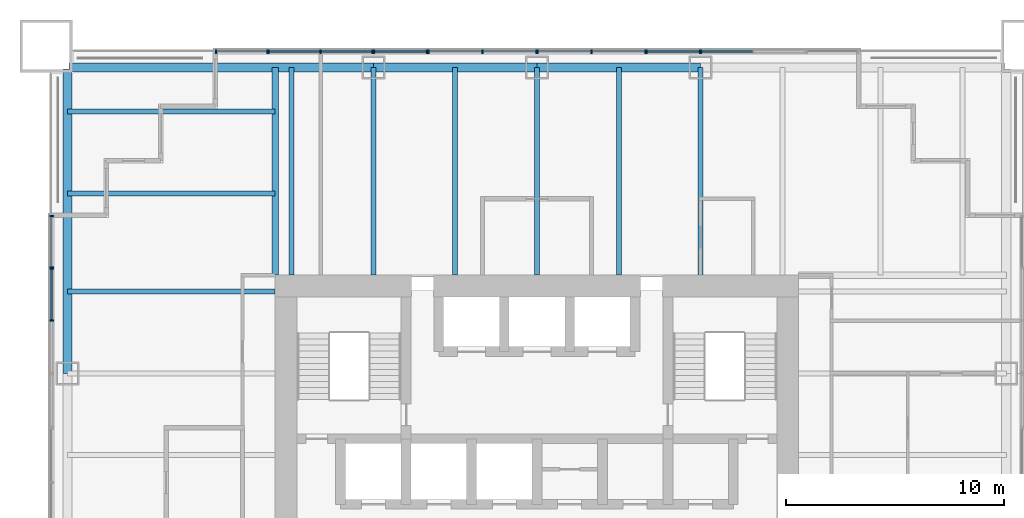
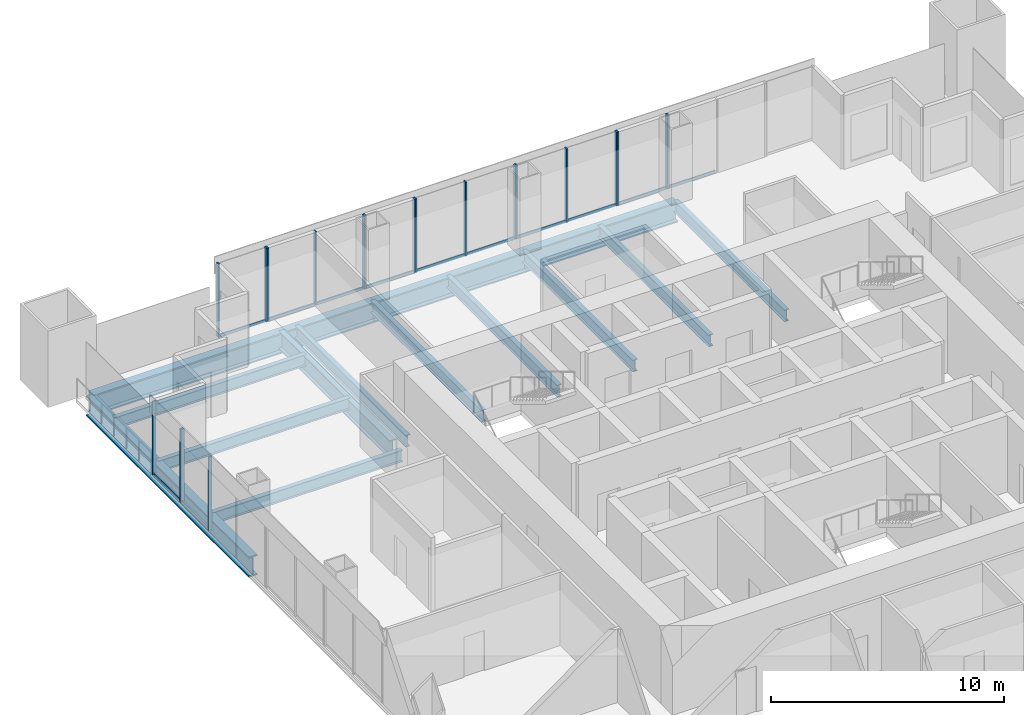
# One storey, part 5 of 13: 32 members, 14 beams, 9 elements without a shape of their own.
"""IFC4 building model written with IfcOpenShell, lengths in metres."""

from ifc_helpers import new_model, si_unit, direction, frame, origin, origin_2d, place, context, subcontext, project, spatial, rectangle, i_section, extrude, material, material_profile, profile_set, type_object, element, aggregate, save


model = new_model("IFC4")

# Units and contexts
model_context = context("Model", 3, precision=1e-05, world=origin(), true_north=direction((0.0, 1.0)))
body_context = subcontext(model_context, "Body", "Model", "MODEL_VIEW")
ifc_project = project(units=[si_unit("LENGTHUNIT", "METRE"), si_unit("AREAUNIT", "SQUARE_METRE"), si_unit("VOLUMEUNIT", "CUBIC_METRE"), si_unit("PLANEANGLEUNIT", "RADIAN"), si_unit("MASSUNIT", "GRAM", prefix="KILO")], contexts=[model_context])

# Site, building, storey
site_placement = place(None, origin())
site = spatial("IfcSite", under=ifc_project, at=site_placement, CompositionType="ELEMENT")
building_placement = place(site_placement, origin())
building = spatial("IfcBuilding", under=site, at=building_placement, Name="Tarangal Relay Tower", CompositionType="ELEMENT")
storey_placement = place(building_placement, frame((0.0, 0.0, 201.89990234375)))
storey = spatial("IfcBuildingStorey", under=building, at=storey_placement, Name="L42", CompositionType="ELEMENT", Elevation=201.89990234375)

# Beams
ifc_material_1 = material(Name="Steel ASTM A992", Category="steel")
ifc_material_profile_1 = material_profile(ifc_material_1, i_section(OverallWidth=0.227783203125, OverallDepth=0.60205078125, WebThickness=0.010498046875, FlangeThickness=0.014892578125, at=origin_2d()), Name="W24X68")
ifc_profile_set_1 = profile_set([ifc_material_profile_1], Name="Steel ASTM A992")
beam_type_1 = type_object("IfcBeamType", Name="Corner beam W24X68", PredefinedType="JOIST", material=ifc_profile_set_1)
for number, where, z_axis, x_axis, name in (
    (1, (-12.0, 15.75, -0.450927734375), (-1.0, 0.0, 0.0), (0.0, -1.0, 0.0), "Corner beam CB11 W L42"),
    (2, (-12.0, 19.5, -0.450927734375), (-1.0, 0.0, 0.0), (0.0, -1.0, 0.0), "Corner beam CB11 W L42"),
):
    element("IfcBeam", number, at=place(storey_placement, frame(where, z_axis=z_axis, x_axis=x_axis)), inside=storey, type_object=beam_type_1, Name=name, PredefinedType="JOIST", context=body_context, shape_type="SweptSolid", body=[
        extrude(i_section(OverallWidth=0.227783203125, OverallDepth=0.60205078125, WebThickness=0.010498046875, FlangeThickness=0.014892578125, at=origin_2d()), origin(), (0.0, 0.0, 1.0), 9.514892578125),
    ])
ifc_material_profile_2 = material_profile(ifc_material_1, i_section(OverallWidth=0.307373046875, OverallDepth=0.9423828125, WebThickness=0.022216796875, FlangeThickness=0.039794921875, at=origin_2d()), Name="W36X232")
ifc_profile_set_2 = profile_set([ifc_material_profile_2], Name="Steel ASTM A992")
beam_type_2 = type_object("IfcBeamType", Name="Corner girder W36X232", PredefinedType="BEAM", material=ifc_profile_set_2)
beam_1_placement = place(storey_placement, frame((-12.0, 12.0, -0.62109375), z_axis=(0.0, 1.0, 0.0), x_axis=(-1.0, 0.0, 0.0)))
element("IfcBeam", 3, at=beam_1_placement, inside=storey, type_object=beam_type_2, Name="Corner girder CG4 W L42", PredefinedType="BEAM", context=body_context, shape_type="SweptSolid", body=[
    extrude(i_section(OverallWidth=0.307373046875, OverallDepth=0.9423828125, WebThickness=0.022216796875, FlangeThickness=0.039794921875, at=origin_2d()), origin(), (0.0, 0.0, 1.0), 9.514892578125),
])
ifc_material_profile_3 = material_profile(ifc_material_1, i_section(OverallWidth=0.41650390625, OverallDepth=1.0693359375, WebThickness=0.0390625, FlangeThickness=0.070068359375, at=origin_2d()), Name="W40X503")
ifc_profile_set_3 = profile_set([ifc_material_profile_3], Name="Steel ASTM A992")
beam_type_3 = type_object("IfcBeamType", Name="Edge girder W40X503", PredefinedType="SPANDREL", material=ifc_profile_set_3)
beam_2_placement = place(storey_placement, frame((-21.449951171875, 21.514892578125, -0.6845703125), z_axis=(1.0, 0.0, 0.0), x_axis=(0.0, 1.0, 0.0)))
element("IfcBeam", 4, at=beam_2_placement, inside=storey, type_object=beam_type_3, Name="Edge girder EG8 N L42", PredefinedType="SPANDREL", context=body_context, shape_type="SweptSolid", body=[
    extrude(i_section(OverallWidth=0.41650390625, OverallDepth=1.0693359375, WebThickness=0.0390625, FlangeThickness=0.070068359375, at=origin_2d()), origin(), (0.0, 0.0, 1.0), 13.949951171875),
])
for number, where, z_axis, x_axis, name in (
    (5, (-7.5, 21.514892578125, -0.6845703125), (1.0, 0.0, 0.0), (0.0, 1.0, 0.0), "Edge girder EG8 N L42"),
    (6, (0.0, 21.514892578125, -0.6845703125), (1.0, 0.0, 0.0), (0.0, 1.0, 0.0), "Edge girder EG8 N L42"),
):
    element("IfcBeam", number, at=place(storey_placement, frame(where, z_axis=z_axis, x_axis=x_axis)), inside=storey, type_object=beam_type_3, Name=name, PredefinedType="SPANDREL", context=body_context, shape_type="SweptSolid", body=[
        extrude(i_section(OverallWidth=0.41650390625, OverallDepth=1.0693359375, WebThickness=0.0390625, FlangeThickness=0.070068359375, at=origin_2d()), origin(), (0.0, 0.0, 1.0), 7.5),
    ])
beam_3_placement = place(storey_placement, frame((-21.514892578125, 7.5, -0.6845703125), z_axis=(0.0, 1.0, 0.0), x_axis=(-1.0, 0.0, 0.0)))
element("IfcBeam", 7, at=beam_3_placement, inside=storey, type_object=beam_type_3, Name="Edge girder EG8 W L42", PredefinedType="SPANDREL", context=body_context, shape_type="SweptSolid", body=[
    extrude(i_section(OverallWidth=0.41650390625, OverallDepth=1.0693359375, WebThickness=0.0390625, FlangeThickness=0.070068359375, at=origin_2d()), origin(), (0.0, 0.0, 1.0), 13.949951171875),
])
ifc_material_profile_4 = material_profile(ifc_material_1, i_section(OverallWidth=0.22900390625, OverallDepth=0.612060546875, WebThickness=0.011962890625, FlangeThickness=0.01953125, at=origin_2d()), Name="W24X84")
ifc_profile_set_4 = profile_set([ifc_material_profile_4], Name="Steel ASTM A992")
beam_type_4 = type_object("IfcBeamType", Name="Floor beam W24X84", PredefinedType="BEAM", material=ifc_profile_set_4)
for number, where, z_axis, x_axis, name in (
    (8, (-11.25, 12.0, -0.455810546875), (0.0, 1.0, 0.0), (-1.0, 0.0, 0.0), "Floor beam RB12 N L42"),
    (9, (-7.5, 12.0, -0.455810546875), (0.0, 1.0, 0.0), (-1.0, 0.0, 0.0), "Floor beam RB12 N L42"),
    (10, (-3.75, 12.0, -0.455810546875), (0.0, 1.0, 0.0), (-1.0, 0.0, 0.0), "Floor beam RB12 N L42"),
    (11, (0.0, 12.0, -0.455810546875), (0.0, 1.0, 0.0), (-1.0, 0.0, 0.0), "Floor beam RB12 N L42"),
    (12, (3.75, 12.0, -0.455810546875), (0.0, 1.0, 0.0), (-1.0, 0.0, 0.0), "Floor beam RB12 N L42"),
    (13, (7.5, 12.0, -0.455810546875), (0.0, 1.0, 0.0), (-1.0, 0.0, 0.0), "Floor beam RB12 N L42"),
    (14, (-12.0, 11.25, -0.455810546875), (-1.0, 0.0, 0.0), (0.0, -1.0, 0.0), "Floor beam RB12 W L42"),
):
    element("IfcBeam", number, at=place(storey_placement, frame(where, z_axis=z_axis, x_axis=x_axis)), inside=storey, type_object=beam_type_4, Name=name, PredefinedType="BEAM", context=body_context, shape_type="SweptSolid", body=[
        extrude(i_section(OverallWidth=0.22900390625, OverallDepth=0.612060546875, WebThickness=0.011962890625, FlangeThickness=0.01953125, at=origin_2d()), origin(), (0.0, 0.0, 1.0), 9.514892578125),
    ])

# Curtain wall, members
ifc_material_2 = material(Name="Unitised curtain wall, dark glass and black aluminium", Category="aluminium")
curtain_wall_type_1 = type_object("IfcCurtainWallType", Name="Curtain wall CW-A", PredefinedType="USERDEFINED", material=ifc_material_2)
curtain_wall_1_placement = place(storey_placement, origin())
curtain_wall_1 = element("IfcCurtainWall", 15, at=curtain_wall_1_placement, inside=storey, type_object=curtain_wall_type_1, Name="Curtain wall CW-A N facade L42", ObjectType="UNITISED CURTAIN WALL", PredefinedType="USERDEFINED")
ifc_material_3 = material(Name="Black anodised aluminium mullion", Category="aluminium")
ifc_material_profile_5 = material_profile(ifc_material_3, rectangle(XDim=0.175048828125, YDim=0.06494140625, at=origin_2d()), Name="CW-AM 65X175")
ifc_profile_set_5 = profile_set([ifc_material_profile_5], Name="Black anodised aluminium mullion")
member_type_1 = type_object("IfcMemberType", Name="Mullion CW-A 65 x 175", PredefinedType="MULLION", material=ifc_profile_set_5)
member_1_placement = place(storey_placement, frame((-14.717529296875, 22.25, 0.0), z_axis=(0.0, 0.0, 1.0), x_axis=(0.0, 1.0, 0.0)))
member_1 = element("IfcMember", 16, at=member_1_placement, type_object=member_type_1, Name="CW-A mullion 1", PredefinedType="MULLION", context=body_context, shape_type="SweptSolid", body=[
    extrude(rectangle(XDim=0.175048828125, YDim=0.06494140625, at=origin_2d()), origin(), (0.0, 0.0, 1.0), 3.85009765625),
])
member_2_placement = place(storey_placement, frame((-12.36572265625, 22.25, 0.0), z_axis=(0.0, 0.0, 1.0), x_axis=(0.0, 1.0, 0.0)))
member_2 = element("IfcMember", 17, at=member_2_placement, type_object=member_type_1, Name="CW-A mullion 2", PredefinedType="MULLION", context=body_context, shape_type="SweptSolid", body=[
    extrude(rectangle(XDim=0.175048828125, YDim=0.06494140625, at=origin_2d()), origin(), (0.0, 0.0, 1.0), 3.85009765625),
])

curtain_wall_2_placement = place(storey_placement, origin())
curtain_wall_2 = element("IfcCurtainWall", 18, at=curtain_wall_2_placement, inside=storey, type_object=curtain_wall_type_1, Name="Curtain wall CW-A N facade L42", ObjectType="UNITISED CURTAIN WALL", PredefinedType="USERDEFINED")
member_3_placement = place(storey_placement, frame((-4.967529296875, 22.25, 0.0), z_axis=(0.0, 0.0, 1.0), x_axis=(0.0, 1.0, 0.0)))
member_3 = element("IfcMember", 19, at=member_3_placement, type_object=member_type_1, Name="CW-A mullion 1", PredefinedType="MULLION", context=body_context, shape_type="SweptSolid", body=[
    extrude(rectangle(XDim=0.175048828125, YDim=0.06494140625, at=origin_2d()), origin(), (0.0, 0.0, 1.0), 3.85009765625),
])
member_4_placement = place(storey_placement, frame((-2.5, 22.25, 0.0), z_axis=(0.0, 0.0, 1.0), x_axis=(0.0, 1.0, 0.0)))
member_4 = element("IfcMember", 20, at=member_4_placement, type_object=member_type_1, Name="CW-A mullion 2", PredefinedType="MULLION", context=body_context, shape_type="SweptSolid", body=[
    extrude(rectangle(XDim=0.175048828125, YDim=0.06494140625, at=origin_2d()), origin(), (0.0, 0.0, 1.0), 3.85009765625),
])
member_5_placement = place(storey_placement, frame((-0.032470703125, 22.25, 0.0), z_axis=(0.0, 0.0, 1.0), x_axis=(0.0, 1.0, 0.0)))
member_5 = element("IfcMember", 21, at=member_5_placement, type_object=member_type_1, Name="CW-A mullion 3", PredefinedType="MULLION", context=body_context, shape_type="SweptSolid", body=[
    extrude(rectangle(XDim=0.175048828125, YDim=0.06494140625, at=origin_2d()), origin(), (0.0, 0.0, 1.0), 3.85009765625),
])

curtain_wall_3_placement = place(storey_placement, origin())
curtain_wall_3 = element("IfcCurtainWall", 22, at=curtain_wall_3_placement, inside=storey, type_object=curtain_wall_type_1, Name="Curtain wall CW-A N facade L42", ObjectType="UNITISED CURTAIN WALL", PredefinedType="USERDEFINED")
member_6_placement = place(storey_placement, frame((0.032470703125, 22.25, 0.0), z_axis=(0.0, 0.0, 1.0), x_axis=(0.0, 1.0, 0.0)))
member_6 = element("IfcMember", 23, at=member_6_placement, type_object=member_type_1, Name="CW-A mullion 1", PredefinedType="MULLION", context=body_context, shape_type="SweptSolid", body=[
    extrude(rectangle(XDim=0.175048828125, YDim=0.06494140625, at=origin_2d()), origin(), (0.0, 0.0, 1.0), 3.85009765625),
])
member_7_placement = place(storey_placement, frame((2.5, 22.25, 0.0), z_axis=(0.0, 0.0, 1.0), x_axis=(0.0, 1.0, 0.0)))
member_7 = element("IfcMember", 24, at=member_7_placement, type_object=member_type_1, Name="CW-A mullion 2", PredefinedType="MULLION", context=body_context, shape_type="SweptSolid", body=[
    extrude(rectangle(XDim=0.175048828125, YDim=0.06494140625, at=origin_2d()), origin(), (0.0, 0.0, 1.0), 3.85009765625),
])
member_8_placement = place(storey_placement, frame((4.967529296875, 22.25, 0.0), z_axis=(0.0, 0.0, 1.0), x_axis=(0.0, 1.0, 0.0)))
member_8 = element("IfcMember", 25, at=member_8_placement, type_object=member_type_1, Name="CW-A mullion 3", PredefinedType="MULLION", context=body_context, shape_type="SweptSolid", body=[
    extrude(rectangle(XDim=0.175048828125, YDim=0.06494140625, at=origin_2d()), origin(), (0.0, 0.0, 1.0), 3.85009765625),
])

curtain_wall_4_placement = place(storey_placement, origin())
curtain_wall_4 = element("IfcCurtainWall", 26, at=curtain_wall_4_placement, inside=storey, type_object=curtain_wall_type_1, Name="Curtain wall CW-A W facade L42", ObjectType="UNITISED CURTAIN WALL", PredefinedType="USERDEFINED")
member_9_placement = place(storey_placement, frame((-22.25, 12.36572265625, 0.0), z_axis=(0.0, 0.0, 1.0), x_axis=(-1.0, 0.0, 0.0)))
member_9 = element("IfcMember", 27, at=member_9_placement, type_object=member_type_1, Name="CW-A mullion 1", PredefinedType="MULLION", context=body_context, shape_type="SweptSolid", body=[
    extrude(rectangle(XDim=0.175048828125, YDim=0.06494140625, at=origin_2d()), origin(), (0.0, 0.0, 1.0), 3.85009765625),
])
member_10_placement = place(storey_placement, frame((-22.25, 14.717529296875, 0.0), z_axis=(0.0, 0.0, 1.0), x_axis=(-1.0, 0.0, 0.0)))
member_10 = element("IfcMember", 28, at=member_10_placement, type_object=member_type_1, Name="CW-A mullion 2", PredefinedType="MULLION", context=body_context, shape_type="SweptSolid", body=[
    extrude(rectangle(XDim=0.175048828125, YDim=0.06494140625, at=origin_2d()), origin(), (0.0, 0.0, 1.0), 3.85009765625),
])

ifc_material_4 = material(Name="Unitised curtain wall frame, black aluminium, with metal clad infill walls", Category="aluminium")
curtain_wall_type_2 = type_object("IfcCurtainWallType", Name="Curtain wall CW-AO", PredefinedType="USERDEFINED", material=ifc_material_4)
curtain_wall_5_placement = place(storey_placement, origin())
curtain_wall_5 = element("IfcCurtainWall", 29, at=curtain_wall_5_placement, inside=storey, type_object=curtain_wall_type_2, Name="Curtain wall CW-AO N facade L42", ObjectType="UNITISED CURTAIN WALL", PredefinedType="USERDEFINED")
ifc_material_profile_6 = material_profile(ifc_material_3, rectangle(XDim=0.175048828125, YDim=0.06494140625, at=origin_2d()), Name="CW-AOM 65X175")
ifc_profile_set_6 = profile_set([ifc_material_profile_6], Name="Black anodised aluminium mullion")
member_type_2 = type_object("IfcMemberType", Name="Mullion CW-AO 65 x 175", PredefinedType="MULLION", material=ifc_profile_set_6)
member_11_placement = place(storey_placement, frame((-12.30078125, 22.25, 0.0), z_axis=(0.0, 0.0, 1.0), x_axis=(0.0, 1.0, 0.0)))
member_11 = element("IfcMember", 30, at=member_11_placement, type_object=member_type_2, Name="CW-AO mullion 1", PredefinedType="MULLION", context=body_context, shape_type="SweptSolid", body=[
    extrude(rectangle(XDim=0.175048828125, YDim=0.06494140625, at=origin_2d()), origin(), (0.0, 0.0, 1.0), 3.85009765625),
])
member_12_placement = place(storey_placement, frame((-9.916748046875, 22.25, 0.0), z_axis=(0.0, 0.0, 1.0), x_axis=(0.0, 1.0, 0.0)))
member_12 = element("IfcMember", 31, at=member_12_placement, type_object=member_type_2, Name="CW-AO mullion 2", PredefinedType="MULLION", context=body_context, shape_type="SweptSolid", body=[
    extrude(rectangle(XDim=0.175048828125, YDim=0.06494140625, at=origin_2d()), origin(), (0.0, 0.0, 1.0), 3.85009765625),
])
member_13_placement = place(storey_placement, frame((-7.532470703125, 22.25, 0.0), z_axis=(0.0, 0.0, 1.0), x_axis=(0.0, 1.0, 0.0)))
member_13 = element("IfcMember", 32, at=member_13_placement, type_object=member_type_2, Name="CW-AO mullion 3", PredefinedType="MULLION", context=body_context, shape_type="SweptSolid", body=[
    extrude(rectangle(XDim=0.175048828125, YDim=0.06494140625, at=origin_2d()), origin(), (0.0, 0.0, 1.0), 3.85009765625),
])

curtain_wall_6_placement = place(storey_placement, origin())
curtain_wall_6 = element("IfcCurtainWall", 33, at=curtain_wall_6_placement, inside=storey, type_object=curtain_wall_type_2, Name="Curtain wall CW-AO N facade L42", ObjectType="UNITISED CURTAIN WALL", PredefinedType="USERDEFINED")
member_14_placement = place(storey_placement, frame((-7.467529296875, 22.25, 0.0), z_axis=(0.0, 0.0, 1.0), x_axis=(0.0, 1.0, 0.0)))
member_14 = element("IfcMember", 34, at=member_14_placement, type_object=member_type_2, Name="CW-AO mullion 1", PredefinedType="MULLION", context=body_context, shape_type="SweptSolid", body=[
    extrude(rectangle(XDim=0.175048828125, YDim=0.06494140625, at=origin_2d()), origin(), (0.0, 0.0, 1.0), 3.85009765625),
])
member_15_placement = place(storey_placement, frame((-5.032470703125, 22.25, 0.0), z_axis=(0.0, 0.0, 1.0), x_axis=(0.0, 1.0, 0.0)))
member_15 = element("IfcMember", 35, at=member_15_placement, type_object=member_type_2, Name="CW-AO mullion 2", PredefinedType="MULLION", context=body_context, shape_type="SweptSolid", body=[
    extrude(rectangle(XDim=0.175048828125, YDim=0.06494140625, at=origin_2d()), origin(), (0.0, 0.0, 1.0), 3.85009765625),
])

curtain_wall_7_placement = place(storey_placement, origin())
curtain_wall_7 = element("IfcCurtainWall", 36, at=curtain_wall_7_placement, inside=storey, type_object=curtain_wall_type_2, Name="Curtain wall CW-AO N facade L42", ObjectType="UNITISED CURTAIN WALL", PredefinedType="USERDEFINED")
member_16_placement = place(storey_placement, frame((5.032470703125, 22.25, 0.0), z_axis=(0.0, 0.0, 1.0), x_axis=(0.0, 1.0, 0.0)))
member_16 = element("IfcMember", 37, at=member_16_placement, type_object=member_type_2, Name="CW-AO mullion 1", PredefinedType="MULLION", context=body_context, shape_type="SweptSolid", body=[
    extrude(rectangle(XDim=0.175048828125, YDim=0.06494140625, at=origin_2d()), origin(), (0.0, 0.0, 1.0), 3.85009765625),
])
member_17_placement = place(storey_placement, frame((7.467529296875, 22.25, 0.0), z_axis=(0.0, 0.0, 1.0), x_axis=(0.0, 1.0, 0.0)))
member_17 = element("IfcMember", 38, at=member_17_placement, type_object=member_type_2, Name="CW-AO mullion 2", PredefinedType="MULLION", context=body_context, shape_type="SweptSolid", body=[
    extrude(rectangle(XDim=0.175048828125, YDim=0.06494140625, at=origin_2d()), origin(), (0.0, 0.0, 1.0), 3.85009765625),
])

# Curtain wall, member
curtain_wall_8_placement = place(storey_placement, origin())
curtain_wall_8 = element("IfcCurtainWall", 39, at=curtain_wall_8_placement, inside=storey, type_object=curtain_wall_type_2, Name="Curtain wall CW-AO N facade L42", ObjectType="UNITISED CURTAIN WALL", PredefinedType="USERDEFINED")
member_18_placement = place(storey_placement, frame((7.532470703125, 22.25, 0.0), z_axis=(0.0, 0.0, 1.0), x_axis=(0.0, 1.0, 0.0)))
member_18 = element("IfcMember", 40, at=member_18_placement, type_object=member_type_2, Name="CW-AO mullion 1", PredefinedType="MULLION", context=body_context, shape_type="SweptSolid", body=[
    extrude(rectangle(XDim=0.175048828125, YDim=0.06494140625, at=origin_2d()), origin(), (0.0, 0.0, 1.0), 3.85009765625),
])

# Curtain wall, members
curtain_wall_9_placement = place(storey_placement, origin())
curtain_wall_9 = element("IfcCurtainWall", 41, at=curtain_wall_9_placement, inside=storey, type_object=curtain_wall_type_2, Name="Curtain wall CW-AO W facade L42", ObjectType="UNITISED CURTAIN WALL", PredefinedType="USERDEFINED")
member_19_placement = place(storey_placement, frame((-22.25, 9.916748046875, 0.0), z_axis=(0.0, 0.0, 1.0), x_axis=(-1.0, 0.0, 0.0)))
member_19 = element("IfcMember", 42, at=member_19_placement, type_object=member_type_2, Name="CW-AO mullion 2", PredefinedType="MULLION", context=body_context, shape_type="SweptSolid", body=[
    extrude(rectangle(XDim=0.175048828125, YDim=0.06494140625, at=origin_2d()), origin(), (0.0, 0.0, 1.0), 3.85009765625),
])
member_20_placement = place(storey_placement, frame((-22.25, 12.30078125, 0.0), z_axis=(0.0, 0.0, 1.0), x_axis=(-1.0, 0.0, 0.0)))
member_20 = element("IfcMember", 43, at=member_20_placement, type_object=member_type_2, Name="CW-AO mullion 3", PredefinedType="MULLION", context=body_context, shape_type="SweptSolid", body=[
    extrude(rectangle(XDim=0.175048828125, YDim=0.06494140625, at=origin_2d()), origin(), (0.0, 0.0, 1.0), 3.85009765625),
])

# Member
ifc_material_5 = material(Name="Black anodised aluminium transom", Category="aluminium")
ifc_material_profile_7 = material_profile(ifc_material_5, rectangle(XDim=0.06494140625, YDim=0.14990234375, at=origin_2d()), Name="CW-AT 65X150")
ifc_profile_set_7 = profile_set([ifc_material_profile_7], Name="Black anodised aluminium transom")
member_type_3 = type_object("IfcMemberType", Name="Transom CW-A 65 x 150", PredefinedType="USERDEFINED", material=ifc_profile_set_7)
member_21_placement = place(storey_placement, frame((-14.68505859375, 22.25, 0.03271484375), z_axis=(1.0, 0.0, 0.0), x_axis=(0.0, 1.0, 0.0)))
member_21 = element("IfcMember", 44, at=member_21_placement, type_object=member_type_3, Name="CW-A transom 1.1", ObjectType="TRANSOM", PredefinedType="USERDEFINED", context=body_context, shape_type="SweptSolid", body=[
    extrude(rectangle(XDim=0.06494140625, YDim=0.14990234375, at=origin_2d()), origin(), (0.0, 0.0, 1.0), 2.286865234375),
])

aggregate(curtain_wall_1, [member_1, member_2, member_21])

member_22_placement = place(storey_placement, frame((-4.93505859375, 22.25, 0.03271484375), z_axis=(1.0, 0.0, 0.0), x_axis=(0.0, 1.0, 0.0)))
member_22 = element("IfcMember", 45, at=member_22_placement, type_object=member_type_3, Name="CW-A transom 1.1", ObjectType="TRANSOM", PredefinedType="USERDEFINED", context=body_context, shape_type="SweptSolid", body=[
    extrude(rectangle(XDim=0.06494140625, YDim=0.14990234375, at=origin_2d()), origin(), (0.0, 0.0, 1.0), 2.402587890625),
])

member_23_placement = place(storey_placement, frame((-2.467529296875, 22.25, 0.03271484375), z_axis=(1.0, 0.0, 0.0), x_axis=(0.0, 1.0, 0.0)))
member_23 = element("IfcMember", 46, at=member_23_placement, type_object=member_type_3, Name="CW-A transom 2.1", ObjectType="TRANSOM", PredefinedType="USERDEFINED", context=body_context, shape_type="SweptSolid", body=[
    extrude(rectangle(XDim=0.06494140625, YDim=0.14990234375, at=origin_2d()), origin(), (0.0, 0.0, 1.0), 2.402587890625),
])

aggregate(curtain_wall_2, [member_3, member_4, member_5, member_22, member_23])

member_24_placement = place(storey_placement, frame((0.06494140625, 22.25, 0.03271484375), z_axis=(1.0, 0.0, 0.0), x_axis=(0.0, 1.0, 0.0)))
member_24 = element("IfcMember", 47, at=member_24_placement, type_object=member_type_3, Name="CW-A transom 1.1", ObjectType="TRANSOM", PredefinedType="USERDEFINED", context=body_context, shape_type="SweptSolid", body=[
    extrude(rectangle(XDim=0.06494140625, YDim=0.14990234375, at=origin_2d()), origin(), (0.0, 0.0, 1.0), 2.402587890625),
])

member_25_placement = place(storey_placement, frame((2.532470703125, 22.25, 0.03271484375), z_axis=(1.0, 0.0, 0.0), x_axis=(0.0, 1.0, 0.0)))
member_25 = element("IfcMember", 48, at=member_25_placement, type_object=member_type_3, Name="CW-A transom 2.1", ObjectType="TRANSOM", PredefinedType="USERDEFINED", context=body_context, shape_type="SweptSolid", body=[
    extrude(rectangle(XDim=0.06494140625, YDim=0.14990234375, at=origin_2d()), origin(), (0.0, 0.0, 1.0), 2.402587890625),
])

aggregate(curtain_wall_3, [member_6, member_7, member_8, member_24, member_25])

member_26_placement = place(storey_placement, frame((-22.25, 12.398193359375, 0.03271484375), z_axis=(0.0, 1.0, 0.0), x_axis=(-1.0, 0.0, 0.0)))
member_26 = element("IfcMember", 49, at=member_26_placement, type_object=member_type_3, Name="CW-A transom 1.1", ObjectType="TRANSOM", PredefinedType="USERDEFINED", context=body_context, shape_type="SweptSolid", body=[
    extrude(rectangle(XDim=0.06494140625, YDim=0.14990234375, at=origin_2d()), origin(), (0.0, 0.0, 1.0), 2.286865234375),
])

aggregate(curtain_wall_4, [member_9, member_10, member_26])

ifc_material_profile_8 = material_profile(ifc_material_5, rectangle(XDim=0.06494140625, YDim=0.14990234375, at=origin_2d()), Name="CW-AOT 65X150")
ifc_profile_set_8 = profile_set([ifc_material_profile_8], Name="Black anodised aluminium transom")
member_type_4 = type_object("IfcMemberType", Name="Transom CW-AO 65 x 150", PredefinedType="USERDEFINED", material=ifc_profile_set_8)
member_27_placement = place(storey_placement, frame((-12.268310546875, 22.25, 0.03271484375), z_axis=(1.0, 0.0, 0.0), x_axis=(0.0, 1.0, 0.0)))
member_27 = element("IfcMember", 50, at=member_27_placement, type_object=member_type_4, Name="CW-AO transom 1.1", ObjectType="TRANSOM", PredefinedType="USERDEFINED", context=body_context, shape_type="SweptSolid", body=[
    extrude(rectangle(XDim=0.06494140625, YDim=0.14990234375, at=origin_2d()), origin(), (0.0, 0.0, 1.0), 2.319091796875),
])

member_28_placement = place(storey_placement, frame((-9.884033203125, 22.25, 0.03271484375), z_axis=(1.0, 0.0, 0.0), x_axis=(0.0, 1.0, 0.0)))
member_28 = element("IfcMember", 51, at=member_28_placement, type_object=member_type_4, Name="CW-AO transom 2.1", ObjectType="TRANSOM", PredefinedType="USERDEFINED", context=body_context, shape_type="SweptSolid", body=[
    extrude(rectangle(XDim=0.06494140625, YDim=0.14990234375, at=origin_2d()), origin(), (0.0, 0.0, 1.0), 2.319091796875),
])

aggregate(curtain_wall_5, [member_11, member_12, member_13, member_27, member_28])

member_29_placement = place(storey_placement, frame((-7.43505859375, 22.25, 0.03271484375), z_axis=(1.0, 0.0, 0.0), x_axis=(0.0, 1.0, 0.0)))
member_29 = element("IfcMember", 52, at=member_29_placement, type_object=member_type_4, Name="CW-AO transom 1.1", ObjectType="TRANSOM", PredefinedType="USERDEFINED", context=body_context, shape_type="SweptSolid", body=[
    extrude(rectangle(XDim=0.06494140625, YDim=0.14990234375, at=origin_2d()), origin(), (0.0, 0.0, 1.0), 2.3701171875),
])

aggregate(curtain_wall_6, [member_14, member_15, member_29])

member_30_placement = place(storey_placement, frame((5.06494140625, 22.25, 0.03271484375), z_axis=(1.0, 0.0, 0.0), x_axis=(0.0, 1.0, 0.0)))
member_30 = element("IfcMember", 53, at=member_30_placement, type_object=member_type_4, Name="CW-AO transom 1.1", ObjectType="TRANSOM", PredefinedType="USERDEFINED", context=body_context, shape_type="SweptSolid", body=[
    extrude(rectangle(XDim=0.06494140625, YDim=0.14990234375, at=origin_2d()), origin(), (0.0, 0.0, 1.0), 2.3701171875),
])

aggregate(curtain_wall_7, [member_16, member_17, member_30])

member_31_placement = place(storey_placement, frame((7.56494140625, 22.25, 0.03271484375), z_axis=(1.0, 0.0, 0.0), x_axis=(0.0, 1.0, 0.0)))
member_31 = element("IfcMember", 54, at=member_31_placement, type_object=member_type_4, Name="CW-AO transom 1.1", ObjectType="TRANSOM", PredefinedType="USERDEFINED", context=body_context, shape_type="SweptSolid", body=[
    extrude(rectangle(XDim=0.06494140625, YDim=0.14990234375, at=origin_2d()), origin(), (0.0, 0.0, 1.0), 2.319091796875),
])

aggregate(curtain_wall_8, [member_18, member_31])

member_32_placement = place(storey_placement, frame((-22.25, 9.94921875, 0.03271484375), z_axis=(0.0, 1.0, 0.0), x_axis=(-1.0, 0.0, 0.0)))
member_32 = element("IfcMember", 55, at=member_32_placement, type_object=member_type_4, Name="CW-AO transom 2.1", ObjectType="TRANSOM", PredefinedType="USERDEFINED", context=body_context, shape_type="SweptSolid", body=[
    extrude(rectangle(XDim=0.06494140625, YDim=0.14990234375, at=origin_2d()), origin(), (0.0, 0.0, 1.0), 2.319091796875),
])

aggregate(curtain_wall_9, [member_19, member_20, member_32])

save(model, "model.ifc")
